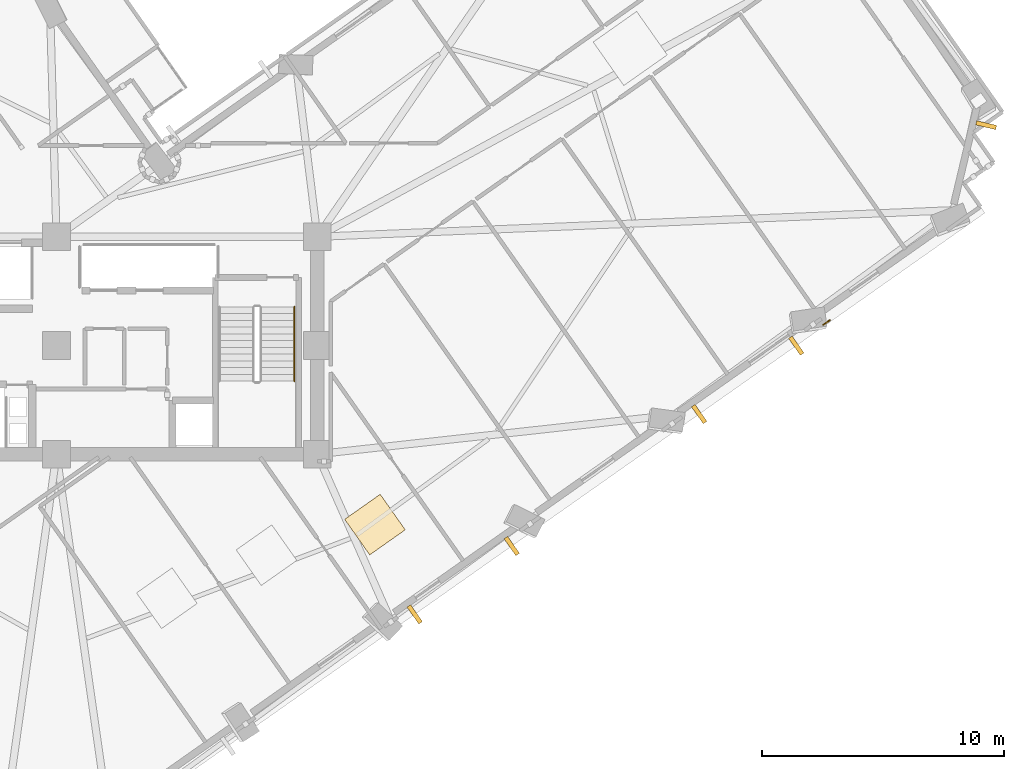
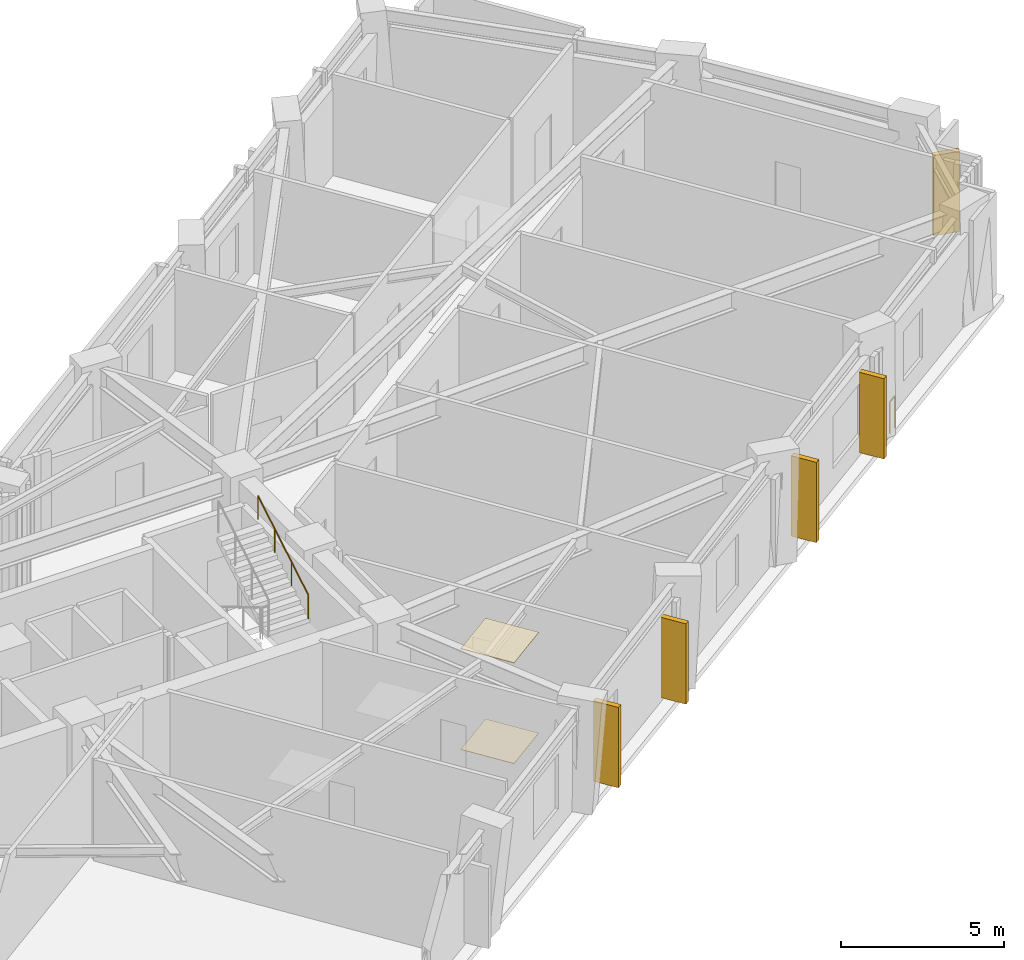
# One storey, part 11 of 13: 5 shading devices, 2 coverings, 2 railings.
"""IFC4 building model written with IfcOpenShell, lengths in metres."""

from ifc_helpers import new_model, si_unit, direction, frame, origin, origin_2d, place, context, subcontext, project, spatial, rectangle, circle, extrude, material, layer, layer_set, type_object, element, save


model = new_model("IFC4")

# Units and contexts
model_context = context("Model", 3, precision=1e-05, world=origin(), true_north=direction((0.0, 1.0)))
body_context = subcontext(model_context, "Body", "Model", "MODEL_VIEW")
ifc_project = project(units=[si_unit("LENGTHUNIT", "METRE"), si_unit("AREAUNIT", "SQUARE_METRE"), si_unit("VOLUMEUNIT", "CUBIC_METRE"), si_unit("PLANEANGLEUNIT", "RADIAN"), si_unit("MASSUNIT", "GRAM", prefix="KILO")], contexts=[model_context])

# Site, building, storey
site_placement = place(None, origin())
site = spatial("IfcSite", under=ifc_project, at=site_placement, CompositionType="ELEMENT")
building_placement = place(site_placement, origin())
building = spatial("IfcBuilding", under=site, at=building_placement, Name="Gaonmaruhae Medical Tower", CompositionType="ELEMENT")
storey_placement = place(building_placement, frame((0.0, 0.0, 173.800048828125)))
storey = spatial("IfcBuildingStorey", under=building, at=storey_placement, Name="L41", CompositionType="ELEMENT", Elevation=173.800048828125)

# Coverings
ifc_material_1 = material(Name="Acoustic mineral ceiling tile", Category="finish")
ifc_layer_1 = layer(ifc_material_1, 0.02490234375)
ifc_layer_set_1 = layer_set([ifc_layer_1], Name="Acoustic mineral ceiling tile")
covering_type_1 = type_object("IfcCoveringType", Name="CLG-01 Antimicrobial Acoustic Mineral Ceiling", PredefinedType="CEILING", material=ifc_layer_set_1)
covering_1_placement = place(storey_placement, frame((37.9853515625, 4.884521484375, 3.7548828125), z_axis=(0.0, 0.0, 1.0), x_axis=(0.817647619217, 0.575719003324, 0.0)))
element("IfcCovering", 1, at=covering_1_placement, inside=storey, type_object=covering_type_1, Name="L41 Clinical Room Acoustic Ceiling 4", PredefinedType="CEILING", context=body_context, shape_type="SweptSolid", body=[
    extrude(rectangle(XDim=1.800048828125, YDim=1.800048828125, at=origin_2d()), origin(), (0.0, 0.0, 1.0), 0.02490234375),
])
ifc_material_2 = material(Name="Seamless clinical vinyl flooring", Category="finish")
ifc_layer_2 = layer(ifc_material_2, 0.014892578125)
ifc_layer_set_2 = layer_set([ifc_layer_2], Name="Seamless clinical vinyl flooring")
covering_type_2 = type_object("IfcCoveringType", Name="FLR-01 Seamless Clinical Antistatic Vinyl Flooring", PredefinedType="FLOORING", material=ifc_layer_set_2)
covering_2_placement = place(storey_placement, frame((37.9853515625, 4.884521484375, 0.0), z_axis=(0.0, 0.0, 1.0), x_axis=(0.817647619217, 0.575719003324, 0.0)))
element("IfcCovering", 2, at=covering_2_placement, inside=storey, type_object=covering_type_2, Name="L41 Clinical Room Vinyl Flooring 4", PredefinedType="FLOORING", context=body_context, shape_type="SweptSolid", body=[
    extrude(rectangle(XDim=1.800048828125, YDim=1.800048828125, at=origin_2d()), origin(), (0.0, 0.0, 1.0), 0.014892578125),
])

# Railings
ifc_material_3 = material(Name="Stainless steel 316L and laminated safety glass", Category="steel")
ifc_layer_3 = layer(ifc_material_3, 0.080078125)
ifc_layer_set_3 = layer_set([ifc_layer_3], Name="Stainless steel 316L and laminated safety glass")
railing_type_1 = type_object("IfcRailingType", Name="GD-120 Outdoor Terrace Safety Glass & Steel Balustrade", PredefinedType="BALUSTRADE", material=ifc_layer_set_3)
railing_1_placement = place(storey_placement, frame((56.815185546875, 13.346923828125, 0.0)))
element("IfcRailing", 3, at=railing_1_placement, inside=storey, type_object=railing_type_1, Name="L41 Perimeter Slab Edge Safety Balustrade 03", PredefinedType="BALUSTRADE", context=body_context, shape_type="SweptSolid", body=[
    extrude(circle(Radius=0.02392578125, at=origin_2d()), frame((0.0, 0.0, 1.17578125), z_axis=(-0.817844032321, -0.575439952381, 0.0), x_axis=(0.575439952381, -0.817844032321, 0.0)), (0.0, 0.0, 1.0), 0.33935546875),
    extrude(circle(Radius=0.02099609375, at=origin_2d()), origin(), (0.0, 0.0, 1.0), 1.15185546875),
    extrude(circle(Radius=0.02099609375, at=origin_2d()), frame((-0.277587890625, -0.1953125, 0.0)), (0.0, 0.0, 1.0), 1.15185546875),
])
ifc_material_4 = material(Name="Stainless steel 304 handrail", Category="steel")
railing_type_2 = type_object("IfcRailingType", Name="HR-092 Continuous Stainless Steel Stair Handrail", PredefinedType="HANDRAIL", material=ifc_material_4)
railing_2_placement = place(storey_placement, frame((34.64990234375, 10.820068359375, 2.16650390625)))
element("IfcRailing", 4, at=railing_2_placement, inside=storey, type_object=railing_type_2, Name="L41 ST-02 stair handrail 2", PredefinedType="HANDRAIL", context=body_context, shape_type="SweptSolid", body=[
    extrude(circle(Radius=0.02392578125, at=origin_2d()), frame((0.0, 0.0, 0.8759765625), z_axis=(0.0, 0.859260807169, 0.511537745687), x_axis=(-1.0, 0.0, 0.0)), (0.0, 0.0, 1.0), 3.584228515625),
    extrude(circle(Radius=0.02099609375, at=origin_2d()), origin(), (0.0, 0.0, 1.0), 0.851806640625),
    extrude(circle(Radius=0.02099609375, at=origin_2d()), frame((0.0, 1.026611328125, 0.611083984375)), (0.0, 0.0, 1.0), 0.851806640625),
    extrude(circle(Radius=0.02099609375, at=origin_2d()), frame((0.0, 2.05322265625, 1.222412109375)), (0.0, 0.0, 1.0), 0.851806640625),
    extrude(circle(Radius=0.02099609375, at=origin_2d()), frame((0.0, 3.079833984375, 1.83349609375)), (0.0, 0.0, 1.0), 0.851806640625),
])

# Shading devices
ifc_material_5 = material(Name="Pigmented coral precast concrete C45/55", Category="concrete")
shading_device_type = type_object("IfcShadingDeviceType", Name="SD-FIN1 Tower Vertical Coral Precast Shading Fin", PredefinedType="USERDEFINED", material=ifc_material_5)
for number, where, z_axis, x_axis, name in (
    (5, (43.648193359375, 3.996337890625, 0.132568359375), (0.0, 0.0, 1.0), (-0.817657667285, -0.575704732593, 0.0), "L41 Vertical Coral Precast Shading Fin S03"),
    (6, (39.630126953125, 1.167236328125, 0.132568359375), (0.0, 0.0, 1.0), (-0.817657667285, -0.575704732593, 0.0), "L41 Vertical Coral Precast Shading Fin S03B"),
    (7, (55.42919921875, 12.29150390625, 0.132568359375), (0.0, 0.0, 1.0), (-0.817647619217, -0.575719003324, 0.0), "L41 Vertical Coral Precast Shading Fin S05"),
    (8, (51.40771484375, 9.4599609375, 0.132568359375), (0.0, 0.0, 1.0), (-0.817647619217, -0.575719003324, 0.0), "L41 Vertical Coral Precast Shading Fin S05B"),
    (9, (63.292724609375, 21.422119140625, 0.132568359375), (0.0, 0.0, 1.0), (-0.231781859637, -0.972767788089, 0.0), "L41 Vertical Coral Precast Shading Fin S07"),
):
    element("IfcShadingDevice", number, at=place(storey_placement, frame(where, z_axis=z_axis, x_axis=x_axis)), inside=storey, type_object=shading_device_type, Name=name, ObjectType="FIN", PredefinedType="USERDEFINED", context=body_context, shape_type="SweptSolid", body=[
        extrude(rectangle(XDim=0.179931640625, YDim=0.85009765625, at=origin_2d()), origin(), (0.0, 0.0, 1.0), 3.0),
    ])

save(model, "model.ifc")
